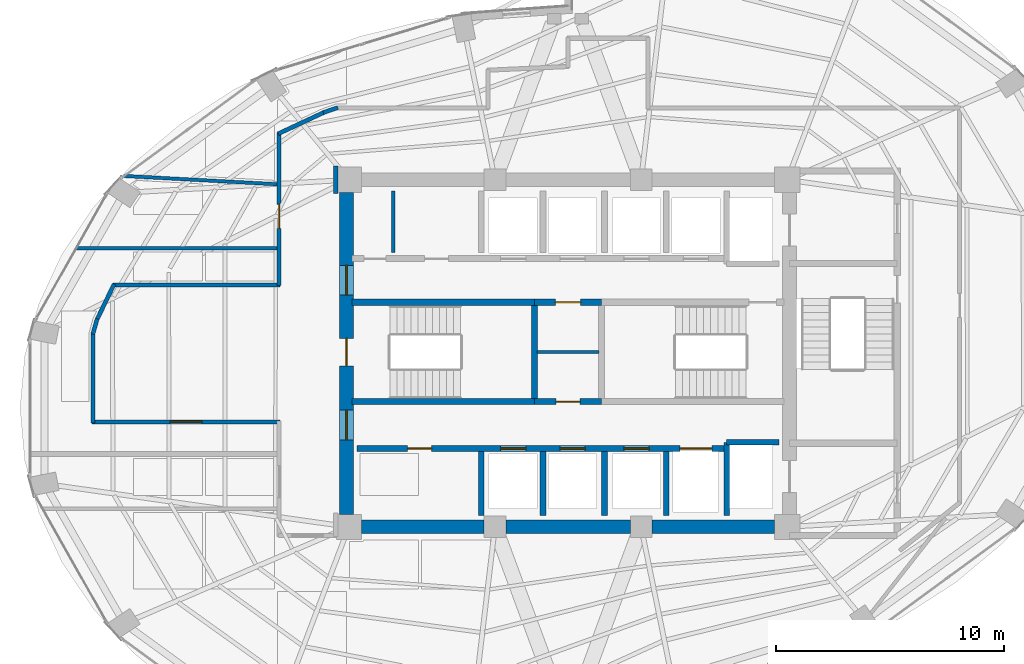
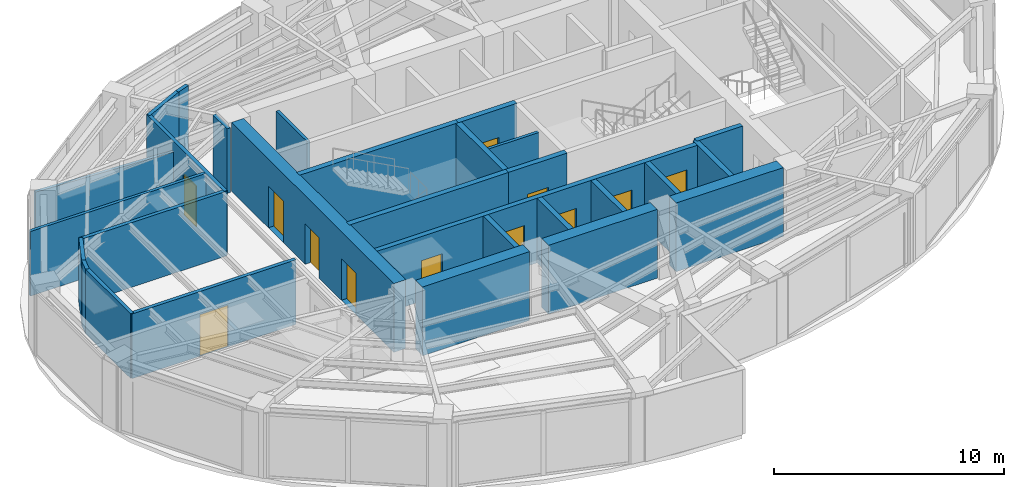
# One storey, part 16 of 20: 29 walls, 12 doors, 12 openings.
"""IFC4 building model written with IfcOpenShell, lengths in metres."""

from ifc_helpers import new_model, si_unit, direction, frame, frame_2d, origin, place, context, subcontext, project, spatial, rectangle, extrude, material, layer, layer_set, type_object, element, fill, save


model = new_model("IFC4")

# Units and contexts
model_context = context("Model", 3, precision=1e-05, world=origin(), true_north=direction((0.0, 1.0)))
body_context = subcontext(model_context, "Body", "Model", "MODEL_VIEW")
ifc_project = project(units=[si_unit("LENGTHUNIT", "METRE"), si_unit("AREAUNIT", "SQUARE_METRE"), si_unit("VOLUMEUNIT", "CUBIC_METRE"), si_unit("PLANEANGLEUNIT", "RADIAN"), si_unit("MASSUNIT", "GRAM", prefix="KILO")], contexts=[model_context])

# Site, building, storey
site_placement = place(None, origin())
site = spatial("IfcSite", under=ifc_project, at=site_placement, CompositionType="ELEMENT")
building_placement = place(site_placement, origin())
building = spatial("IfcBuilding", under=site, at=building_placement, Name="Lazwardi Medical Tower", CompositionType="ELEMENT")
storey_placement = place(building_placement, frame((0.0, 0.0, 178.416015625)))
storey = spatial("IfcBuildingStorey", under=building, at=storey_placement, Name="L46", CompositionType="ELEMENT", Elevation=178.416015625)

# Walls
ifc_material_1 = material(Name="Fire-rated gypsum board on steel stud", Category="steel")
ifc_layer_1 = layer(ifc_material_1, 0.179931640625)
ifc_layer_set_1 = layer_set([ifc_layer_1], Name="Fire-rated gypsum board on steel stud")
wall_type_1 = type_object("IfcWallType", Name="WL-COR-180", PredefinedType="PARTITIONING", material=ifc_layer_set_1)
wall_1_placement = place(storey_placement, frame((15.350341796875, 29.435791015625, 0.0), z_axis=(0.0, 0.0, 1.0), x_axis=(0.436196025907, 0.899851669434, 0.0)))
element("IfcWall", 1, at=wall_1_placement, inside=storey, type_object=wall_type_1, Name="L46 Corridor partition 1", PredefinedType="PARTITIONING", context=body_context, shape_type="SweptSolid", body=[
    extrude(rectangle(XDim=1.778076171875, YDim=0.179931640625, at=frame_2d((0.88916015625, 0.0))), origin(), (0.0, 0.0, 1.0), 3.427978515625),
])
wall_2_placement = place(storey_placement, frame((16.068359375, 31.0, 0.0), z_axis=(0.0, 0.0, 1.0), x_axis=(1.0, 0.0, 0.0)))
element("IfcWall", 2, at=wall_2_placement, inside=storey, type_object=wall_type_1, Name="L46 Corridor partition 2", PredefinedType="PARTITIONING", context=body_context, shape_type="SweptSolid", body=[
    extrude(rectangle(XDim=7.321533203125, YDim=0.179931640625, at=frame_2d((3.66064453125, 0.0))), origin(), (0.0, 0.0, 1.0), 3.427978515625),
])

# Wall, opening, door
wall_3_placement = place(storey_placement, frame((23.35009765625, 30.9599609375, 0.0), z_axis=(0.0, 0.0, 1.0), x_axis=(0.0, 1.0, 0.0)))
wall_3 = element("IfcWall", 3, at=wall_3_placement, inside=storey, type_object=wall_type_1, Name="L46 Corridor partition 3", PredefinedType="PARTITIONING", context=body_context, shape_type="SweptSolid", body=[
    extrude(rectangle(XDim=6.7138671875, YDim=0.179931640625, at=frame_2d((3.35693359375, 0.0))), origin(), (0.0, 0.0, 1.0), 3.427978515625),
])
opening_1_placement = place(wall_3_placement, frame((2.51708984375, 0.0, 0.0)))
opening_1 = element("IfcOpeningElement", 4, at=opening_1_placement, cuts=wall_3, Name="Opening D-L46-013", PredefinedType="OPENING", context=body_context, shape_type="SweptSolid", body=[
    extrude(rectangle(XDim=1.050048828125, YDim=2.14990234375, at=frame_2d((0.52490234375, 1.074951171875))), frame((0.0, 0.099853515625, 0.0), z_axis=(0.0, -1.0, 0.0), x_axis=(1.0, 0.0, 0.0)), (0.0, 0.0, 1.0), 0.199951171875),
])
ifc_material_2 = material(Name="Anti-microbial laminate hospital leaf")
door_type_1 = type_object("IfcDoorType", Name="DR-CLN-1050", OperationType="NOTDEFINED", PredefinedType="DOOR", material=ifc_material_2)
door_1_placement = place(opening_1_placement, origin())
door_1 = element("IfcDoor", 5, at=door_1_placement, inside=storey, type_object=door_type_1, Name="L46 Outpatient Clinic Door 04", OperationType="SINGLE_SWING_LEFT", OverallHeight=2.14990234375, OverallWidth=1.050048828125, PredefinedType="DOOR", context=body_context, shape_type="SweptSolid", body=[
    extrude(rectangle(XDim=1.050048828125, YDim=2.14990234375, at=frame_2d((0.52490234375, 1.074951171875))), frame((0.0, 0.02490234375, 0.0), z_axis=(0.0, -1.0, 0.0), x_axis=(1.0, 0.0, 0.0)), (0.0, 0.0, 1.0), 0.050048828125),
])
fill(opening_1, door_1)

# Walls
wall_4_placement = place(storey_placement, frame((23.313720703125, 37.616943359375, 0.0), z_axis=(0.0, 0.0, 1.0), x_axis=(0.905731790856, 0.423851298255, 0.0)))
element("IfcWall", 6, at=wall_4_placement, inside=storey, type_object=wall_type_1, Name="L46 Corridor partition 4", PredefinedType="PARTITIONING", context=body_context, shape_type="SweptSolid", body=[
    extrude(rectangle(XDim=2.255126953125, YDim=0.179931640625, at=frame_2d((1.12744140625, 0.0))), origin(), (0.0, 0.0, 1.0), 3.427978515625),
])
wall_5_placement = place(storey_placement, frame((25.2822265625, 38.54248046875, 0.0), z_axis=(0.0, 0.0, 1.0), x_axis=(0.94508059942, 0.326837361085, 0.0)))
element("IfcWall", 7, at=wall_5_placement, inside=storey, type_object=wall_type_1, Name="L46 Corridor partition 5", PredefinedType="PARTITIONING", context=body_context, shape_type="SweptSolid", body=[
    extrude(rectangle(XDim=0.67529296875, YDim=0.179931640625, at=frame_2d((0.337646484375, 0.0))), origin(), (0.0, 0.0, 1.0), 3.427978515625),
])
wall_6_placement = place(storey_placement, frame((25.830078125, 36.2099609375, 0.0), z_axis=(0.0, 0.0, 1.0), x_axis=(0.0, -1.0, 0.0)))
element("IfcWall", 8, at=wall_6_placement, inside=storey, type_object=wall_type_1, Name="L46 Corridor partition 15", PredefinedType="PARTITIONING", context=body_context, shape_type="SweptSolid", body=[
    extrude(rectangle(XDim=1.219970703125, YDim=0.179931640625, at=frame_2d((0.60986328125, 0.0))), origin(), (0.0, 0.0, 1.0), 3.427978515625),
])

# Wall, opening, door
wall_7_placement = place(storey_placement, frame((23.389892578125, 25.0, 0.0), z_axis=(0.0, 0.0, 1.0), x_axis=(-1.0, 0.0, 0.0)))
wall_7 = element("IfcWall", 9, at=wall_7_placement, inside=storey, type_object=wall_type_1, Name="L46 Corridor partition 19", PredefinedType="PARTITIONING", context=body_context, shape_type="SweptSolid", body=[
    extrude(rectangle(XDim=8.22998046875, YDim=0.179931640625, at=frame_2d((4.114990234375, 0.0))), origin(), (0.0, 0.0, 1.0), 3.427978515625),
])
opening_2_placement = place(wall_7_placement, frame((3.4150390625, 0.0, 0.0)))
opening_2 = element("IfcOpeningElement", 10, at=opening_2_placement, cuts=wall_7, Name="Opening D-L46-014", PredefinedType="OPENING", context=body_context, shape_type="SweptSolid", body=[
    extrude(rectangle(XDim=1.39990234375, YDim=2.199951171875, at=frame_2d((0.699951171875, 1.10009765625))), frame((0.0, 0.099853515625, 0.0), z_axis=(0.0, -1.0, 0.0), x_axis=(1.0, 0.0, 0.0)), (0.0, 0.0, 1.0), 0.199951171875),
])
door_type_2 = type_object("IfcDoorType", Name="DR-BED-1400", OperationType="NOTDEFINED", PredefinedType="DOOR", material=ifc_material_2)
door_2_placement = place(opening_2_placement, origin())
door_2 = element("IfcDoor", 11, at=door_2_placement, inside=storey, type_object=door_type_2, Name="L46 Rehabilitation Gymnasium Door 05", OperationType="SINGLE_SWING_RIGHT", OverallHeight=2.199951171875, OverallWidth=1.39990234375, PredefinedType="DOOR", context=body_context, shape_type="SweptSolid", body=[
    extrude(rectangle(XDim=1.39990234375, YDim=2.199951171875, at=frame_2d((0.699951171875, 1.10009765625))), frame((0.0, 0.02490234375, 0.0), z_axis=(0.0, -1.0, 0.0), x_axis=(1.0, 0.0, 0.0)), (0.0, 0.0, 1.0), 0.050048828125),
])
fill(opening_2, door_2)

# Walls
wall_8_placement = place(storey_placement, frame((15.199951171875, 24.9599609375, 0.0), z_axis=(0.0, 0.0, 1.0), x_axis=(0.0, 1.0, 0.0)))
element("IfcWall", 12, at=wall_8_placement, inside=storey, type_object=wall_type_1, Name="L46 Corridor partition 20", PredefinedType="PARTITIONING", context=body_context, shape_type="SweptSolid", body=[
    extrude(rectangle(XDim=3.961181640625, YDim=0.179931640625, at=frame_2d((1.98046875, 0.0))), origin(), (0.0, 0.0, 1.0), 3.427978515625),
])
wall_9_placement = place(storey_placement, frame((15.189208984375, 28.842529296875, 0.0), z_axis=(0.0, 0.0, 1.0), x_axis=(0.272862960331, 0.962052911684, 0.0)))
element("IfcWall", 13, at=wall_9_placement, inside=storey, type_object=wall_type_1, Name="L46 Corridor partition 21", PredefinedType="PARTITIONING", context=body_context, shape_type="SweptSolid", body=[
    extrude(rectangle(XDim=0.6943359375, YDim=0.179931640625, at=frame_2d((0.34716796875, 0.0))), origin(), (0.0, 0.0, 1.0), 3.427978515625),
])

# Wall, openings, doors
ifc_material_3 = material(Name="Concrete C60/75", Category="concrete")
ifc_layer_2 = layer(ifc_material_3, 0.60009765625)
ifc_layer_set_2 = layer_set([ifc_layer_2], Name="Concrete C60/75")
wall_type_2 = type_object("IfcWallType", Name="WL-CORE-600", PredefinedType="SHEAR", material=ifc_layer_set_2)
wall_10_placement = place(storey_placement, frame((26.300048828125, 20.949951171875, 0.0), z_axis=(0.0, 0.0, 1.0), x_axis=(0.0, 1.0, 0.0)))
wall_10 = element("IfcWall", 14, at=wall_10_placement, inside=storey, type_object=wall_type_2, Name="Core wall CW-S3 west L46", PredefinedType="SHEAR", context=body_context, shape_type="SweptSolid", body=[
    extrude(rectangle(XDim=14.10009765625, YDim=0.60009765625, at=frame_2d((7.050048828125, 0.0))), origin(), (0.0, 0.0, 1.0), 3.64794921875),
])
opening_3_placement = place(wall_10_placement, frame((6.5, 0.0, 0.0)))
opening_3 = element("IfcOpeningElement", 15, at=opening_3_placement, cuts=wall_10, Name="Opening D-L46-015", PredefinedType="OPENING", context=body_context, shape_type="SweptSolid", body=[
    extrude(rectangle(XDim=1.199951171875, YDim=2.14990234375, at=frame_2d((0.60009765625, 1.074951171875))), frame((0.0, 0.31005859375, 0.0), z_axis=(0.0, -1.0, 0.0), x_axis=(1.0, 0.0, 0.0)), (0.0, 0.0, 1.0), 0.6201171875),
])
opening_4_placement = place(wall_10_placement, frame((9.60009765625, 0.0, 0.0)))
opening_4 = element("IfcOpeningElement", 16, at=opening_4_placement, cuts=wall_10, Name="Opening D-L46-008", PredefinedType="OPENING", context=body_context, shape_type="SweptSolid", body=[
    extrude(rectangle(XDim=1.300048828125, YDim=2.199951171875, at=frame_2d((0.64990234375, 1.10009765625))), frame((0.0, 0.31005859375, 0.0), z_axis=(0.0, -1.0, 0.0), x_axis=(1.0, 0.0, 0.0)), (0.0, 0.0, 1.0), 0.6201171875),
])
opening_5_placement = place(wall_10_placement, frame((3.260009765625, 0.0, 0.0)))
opening_5 = element("IfcOpeningElement", 17, at=opening_5_placement, cuts=wall_10, Name="Opening D-L46-009", PredefinedType="OPENING", context=body_context, shape_type="SweptSolid", body=[
    extrude(rectangle(XDim=1.300048828125, YDim=2.199951171875, at=frame_2d((0.64990234375, 1.10009765625))), frame((0.0, 0.31005859375, 0.0), z_axis=(0.0, -1.0, 0.0), x_axis=(1.0, 0.0, 0.0)), (0.0, 0.0, 1.0), 0.6201171875),
])
ifc_material_4 = material(Name="Fire-rated steel leaf and frame", Category="steel")
door_type_3 = type_object("IfcDoorType", Name="DR-FFL-1300", OperationType="NOTDEFINED", PredefinedType="DOOR", material=ifc_material_4)
door_3_placement = place(opening_4_placement, origin())
door_3 = element("IfcDoor", 18, at=door_3_placement, inside=storey, type_object=door_type_3, Name="L46 North Lift Lobby Door", OperationType="SINGLE_SWING_RIGHT", OverallHeight=2.199951171875, OverallWidth=1.300048828125, PredefinedType="DOOR", context=body_context, shape_type="SweptSolid", body=[
    extrude(rectangle(XDim=1.300048828125, YDim=2.199951171875, at=frame_2d((0.64990234375, 1.10009765625))), frame((0.0, 0.02490234375, 0.0), z_axis=(0.0, -1.0, 0.0), x_axis=(1.0, 0.0, 0.0)), (0.0, 0.0, 1.0), 0.050048828125),
])
fill(opening_4, door_3)
door_4_placement = place(opening_5_placement, origin())
door_4 = element("IfcDoor", 19, at=door_4_placement, inside=storey, type_object=door_type_3, Name="L46 South Lift Lobby Door", OperationType="SINGLE_SWING_LEFT", OverallHeight=2.199951171875, OverallWidth=1.300048828125, PredefinedType="DOOR", context=body_context, shape_type="SweptSolid", body=[
    extrude(rectangle(XDim=1.300048828125, YDim=2.199951171875, at=frame_2d((0.64990234375, 1.10009765625))), frame((0.0, 0.02490234375, 0.0), z_axis=(0.0, -1.0, 0.0), x_axis=(1.0, 0.0, 0.0)), (0.0, 0.0, 1.0), 0.050048828125),
])
fill(opening_5, door_4)
door_type_4 = type_object("IfcDoorType", Name="DR-STR-1200", OperationType="NOTDEFINED", PredefinedType="DOOR", material=ifc_material_4)
door_5_placement = place(opening_3_placement, origin())
door_5 = element("IfcDoor", 20, at=door_5_placement, inside=storey, type_object=door_type_4, Name="L46 Exit Stair ST1 Door", OperationType="SINGLE_SWING_RIGHT", OverallHeight=2.14990234375, OverallWidth=1.199951171875, PredefinedType="DOOR", context=body_context, shape_type="SweptSolid", body=[
    extrude(rectangle(XDim=1.199951171875, YDim=2.14990234375, at=frame_2d((0.60009765625, 1.074951171875))), frame((0.0, 0.02490234375, 0.0), z_axis=(0.0, -1.0, 0.0), x_axis=(1.0, 0.0, 0.0)), (0.0, 0.0, 1.0), 0.050048828125),
])
fill(opening_3, door_5)

# Walls
wall_11_placement = place(storey_placement, frame((26.949951171875, 20.39990234375, 0.0), z_axis=(0.0, 0.0, 1.0), x_axis=(1.0, 0.0, 0.0)))
element("IfcWall", 21, at=wall_11_placement, inside=storey, type_object=wall_type_2, Name="Core wall CW-S3 S1 L46", PredefinedType="SHEAR", context=body_context, shape_type="SweptSolid", body=[
    extrude(rectangle(XDim=5.375, YDim=0.60009765625, at=frame_2d((2.6875, 0.0))), origin(), (0.0, 0.0, 1.0), 3.64794921875),
])
wall_12_placement = place(storey_placement, frame((33.27490234375, 20.39990234375, 0.0), z_axis=(0.0, 0.0, 1.0), x_axis=(1.0, 0.0, 0.0)))
element("IfcWall", 22, at=wall_12_placement, inside=storey, type_object=wall_type_2, Name="Core wall CW-S3 S2 L46", PredefinedType="SHEAR", context=body_context, shape_type="SweptSolid", body=[
    extrude(rectangle(XDim=5.4501953125, YDim=0.60009765625, at=frame_2d((2.72509765625, 0.0))), origin(), (0.0, 0.0, 1.0), 3.64794921875),
])
wall_13_placement = place(storey_placement, frame((39.675048828125, 20.39990234375, 0.0), z_axis=(0.0, 0.0, 1.0), x_axis=(1.0, 0.0, 0.0)))
element("IfcWall", 23, at=wall_13_placement, inside=storey, type_object=wall_type_2, Name="Core wall CW-S3 S3 L46", PredefinedType="SHEAR", context=body_context, shape_type="SweptSolid", body=[
    extrude(rectangle(XDim=5.375, YDim=0.60009765625, at=frame_2d((2.6875, 0.0))), origin(), (0.0, 0.0, 1.0), 3.64794921875),
])

# Wall, openings, doors
ifc_material_5 = material(Name="Autoclaved aerated concrete blockwork", Category="masonry")
ifc_layer_3 = layer(ifc_material_5, 0.25)
ifc_layer_set_3 = layer_set([ifc_layer_3], Name="Autoclaved aerated concrete blockwork")
wall_type_3 = type_object("IfcWallType", Name="WL-SHAFT-250", PredefinedType="SOLIDWALL", material=ifc_layer_set_3)
wall_14_placement = place(storey_placement, frame((26.75, 23.830078125, 0.0), z_axis=(0.0, 0.0, 1.0), x_axis=(1.0, 0.0, 0.0)))
wall_14 = element("IfcWall", 24, at=wall_14_placement, inside=storey, type_object=wall_type_3, Name="L46 South lift bank front wall", PredefinedType="SOLIDWALL", context=body_context, shape_type="SweptSolid", body=[
    extrude(rectangle(XDim=16.199951171875, YDim=0.25, at=frame_2d((8.10009765625, 0.0))), origin(), (0.0, 0.0, 1.0), 3.427978515625),
])
opening_6_placement = place(wall_14_placement, frame((2.22509765625, 0.0, 0.0)))
opening_6 = element("IfcOpeningElement", 25, at=opening_6_placement, cuts=wall_14, Name="Opening D-L46-005", PredefinedType="OPENING", context=body_context, shape_type="SweptSolid", body=[
    extrude(rectangle(XDim=1.050048828125, YDim=2.14990234375, at=frame_2d((0.52490234375, 1.074951171875))), frame((0.0, 0.135009765625, 0.0), z_axis=(0.0, -1.0, 0.0), x_axis=(1.0, 0.0, 0.0)), (0.0, 0.0, 1.0), 0.27001953125),
])
opening_7_placement = place(wall_14_placement, frame((6.300048828125, 0.0, 0.0)))
opening_7 = element("IfcOpeningElement", 26, at=opening_7_placement, cuts=wall_14, Name="Opening LD-L46-006", PredefinedType="OPENING", context=body_context, shape_type="SweptSolid", body=[
    extrude(rectangle(XDim=1.10009765625, YDim=2.199951171875, at=frame_2d((0.550048828125, 1.10009765625))), frame((0.0, 0.135009765625, 0.0), z_axis=(0.0, -1.0, 0.0), x_axis=(1.0, 0.0, 0.0)), (0.0, 0.0, 1.0), 0.27001953125),
])
opening_8_placement = place(wall_14_placement, frame((8.89990234375, 0.0, 0.0)))
opening_8 = element("IfcOpeningElement", 27, at=opening_8_placement, cuts=wall_14, Name="Opening LD-L46-007", PredefinedType="OPENING", context=body_context, shape_type="SweptSolid", body=[
    extrude(rectangle(XDim=1.10009765625, YDim=2.199951171875, at=frame_2d((0.550048828125, 1.10009765625))), frame((0.0, 0.135009765625, 0.0), z_axis=(0.0, -1.0, 0.0), x_axis=(1.0, 0.0, 0.0)), (0.0, 0.0, 1.0), 0.27001953125),
])
opening_9_placement = place(wall_14_placement, frame((11.699951171875, 0.0, 0.0)))
opening_9 = element("IfcOpeningElement", 28, at=opening_9_placement, cuts=wall_14, Name="Opening LD-L46-010", PredefinedType="OPENING", context=body_context, shape_type="SweptSolid", body=[
    extrude(rectangle(XDim=1.10009765625, YDim=2.199951171875, at=frame_2d((0.550048828125, 1.10009765625))), frame((0.0, 0.135009765625, 0.0), z_axis=(0.0, -1.0, 0.0), x_axis=(1.0, 0.0, 0.0)), (0.0, 0.0, 1.0), 0.27001953125),
])
opening_10_placement = place(wall_14_placement, frame((14.14990234375, 0.0, 0.0)))
opening_10 = element("IfcOpeningElement", 29, at=opening_10_placement, cuts=wall_14, Name="Opening LD-L46-003", PredefinedType="OPENING", context=body_context, shape_type="SweptSolid", body=[
    extrude(rectangle(XDim=1.39990234375, YDim=2.300048828125, at=frame_2d((0.699951171875, 1.14990234375))), frame((0.0, 0.135009765625, 0.0), z_axis=(0.0, -1.0, 0.0), x_axis=(1.0, 0.0, 0.0)), (0.0, 0.0, 1.0), 0.27001953125),
])
door_6_placement = place(opening_6_placement, origin())
door_6 = element("IfcDoor", 30, at=door_6_placement, inside=storey, type_object=door_type_1, Name="L46 Medication Door", OperationType="SINGLE_SWING_RIGHT", OverallHeight=2.14990234375, OverallWidth=1.050048828125, PredefinedType="DOOR", context=body_context, shape_type="SweptSolid", body=[
    extrude(rectangle(XDim=1.050048828125, YDim=2.14990234375, at=frame_2d((0.52490234375, 1.074951171875))), frame((0.0, 0.02490234375, 0.0), z_axis=(0.0, -1.0, 0.0), x_axis=(1.0, 0.0, 0.0)), (0.0, 0.0, 1.0), 0.050048828125),
])
fill(opening_6, door_6)
ifc_material_6 = material(Name="Brushed bronze stainless steel landing door", Category="steel")
door_type_5 = type_object("IfcDoorType", Name="DR-LFT-1100", OperationType="NOTDEFINED", PredefinedType="DOOR", material=ifc_material_6)
door_7_placement = place(opening_7_placement, origin())
door_7 = element("IfcDoor", 31, at=door_7_placement, inside=storey, type_object=door_type_5, Name="L46 Lift Landing Door PL-07", OperationType="SLIDING_TO_LEFT", OverallHeight=2.199951171875, OverallWidth=1.10009765625, PredefinedType="DOOR", context=body_context, shape_type="SweptSolid", body=[
    extrude(rectangle(XDim=1.10009765625, YDim=2.199951171875, at=frame_2d((0.550048828125, 1.10009765625))), frame((0.0, 0.02490234375, 0.0), z_axis=(0.0, -1.0, 0.0), x_axis=(1.0, 0.0, 0.0)), (0.0, 0.0, 1.0), 0.050048828125),
])
fill(opening_7, door_7)
door_8_placement = place(opening_8_placement, origin())
door_8 = element("IfcDoor", 32, at=door_8_placement, inside=storey, type_object=door_type_5, Name="L46 Lift Landing Door PL-08", OperationType="SLIDING_TO_LEFT", OverallHeight=2.199951171875, OverallWidth=1.10009765625, PredefinedType="DOOR", context=body_context, shape_type="SweptSolid", body=[
    extrude(rectangle(XDim=1.10009765625, YDim=2.199951171875, at=frame_2d((0.550048828125, 1.10009765625))), frame((0.0, 0.02490234375, 0.0), z_axis=(0.0, -1.0, 0.0), x_axis=(1.0, 0.0, 0.0)), (0.0, 0.0, 1.0), 0.050048828125),
])
fill(opening_8, door_8)
door_9_placement = place(opening_9_placement, origin())
door_9 = element("IfcDoor", 33, at=door_9_placement, inside=storey, type_object=door_type_5, Name="L46 Lift Landing Door PL-11", OperationType="SLIDING_TO_LEFT", OverallHeight=2.199951171875, OverallWidth=1.10009765625, PredefinedType="DOOR", context=body_context, shape_type="SweptSolid", body=[
    extrude(rectangle(XDim=1.10009765625, YDim=2.199951171875, at=frame_2d((0.550048828125, 1.10009765625))), frame((0.0, 0.02490234375, 0.0), z_axis=(0.0, -1.0, 0.0), x_axis=(1.0, 0.0, 0.0)), (0.0, 0.0, 1.0), 0.050048828125),
])
fill(opening_9, door_9)
ifc_material_7 = material(Name="Brushed stainless steel bed-lift landing door", Category="steel")
door_type_6 = type_object("IfcDoorType", Name="DR-LFT-1400", OperationType="NOTDEFINED", PredefinedType="DOOR", material=ifc_material_7)
door_10_placement = place(opening_10_placement, origin())
door_10 = element("IfcDoor", 34, at=door_10_placement, inside=storey, type_object=door_type_6, Name="L46 Lift Landing Door FL-03", OperationType="SLIDING_TO_LEFT", OverallHeight=2.300048828125, OverallWidth=1.39990234375, PredefinedType="DOOR", context=body_context, shape_type="SweptSolid", body=[
    extrude(rectangle(XDim=1.39990234375, YDim=2.300048828125, at=frame_2d((0.699951171875, 1.14990234375))), frame((0.0, 0.02490234375, 0.0), z_axis=(0.0, -1.0, 0.0), x_axis=(1.0, 0.0, 0.0)), (0.0, 0.0, 1.0), 0.050048828125),
])
fill(opening_10, door_10)

# Walls
wall_15_placement = place(storey_placement, frame((42.949951171875, 20.89990234375, 0.0), z_axis=(0.0, 0.0, 1.0), x_axis=(0.0, 1.0, 0.0)))
element("IfcWall", 35, at=wall_15_placement, inside=storey, type_object=wall_type_3, Name="L46 FL-02 West shaft wall", PredefinedType="SOLIDWALL", context=body_context, shape_type="SweptSolid", body=[
    extrude(rectangle(XDim=3.2001953125, YDim=0.25, at=frame_2d((1.60009765625, 0.0))), origin(), (0.0, 0.0, 1.0), 3.427978515625),
])
wall_16_placement = place(storey_placement, frame((42.949951171875, 24.10009765625, 0.0), z_axis=(0.0, 0.0, 1.0), x_axis=(1.0, 0.0, 0.0)))
element("IfcWall", 36, at=wall_16_placement, inside=storey, type_object=wall_type_3, Name="L46 FL-02 North shaft wall", PredefinedType="SOLIDWALL", context=body_context, shape_type="SweptSolid", body=[
    extrude(rectangle(XDim=2.300048828125, YDim=0.25, at=frame_2d((1.14990234375, 0.0))), origin(), (0.0, 0.0, 1.0), 3.427978515625),
])
for number, where, z_axis, x_axis, name in (
    (37, (32.199951171875, 20.89990234375, 0.0), (0.0, 0.0, 1.0), (0.0, 1.0, 0.0), "L46 South hoistway divider"),
    (38, (34.89990234375, 20.89990234375, 0.0), (0.0, 0.0, 1.0), (0.0, 1.0, 0.0), "L46 South hoistway divider"),
    (39, (37.60009765625, 20.89990234375, 0.0), (0.0, 0.0, 1.0), (0.0, 1.0, 0.0), "L46 South hoistway divider"),
    (40, (40.300048828125, 20.89990234375, 0.0), (0.0, 0.0, 1.0), (0.0, 1.0, 0.0), "L46 South hoistway divider"),
):
    element("IfcWall", number, at=place(storey_placement, frame(where, z_axis=z_axis, x_axis=x_axis)), inside=storey, type_object=wall_type_3, Name=name, PredefinedType="SOLIDWALL", context=body_context, shape_type="SweptSolid", body=[
        extrude(rectangle(XDim=2.800048828125, YDim=0.25, at=frame_2d((1.39990234375, 0.0))), origin(), (0.0, 0.0, 1.0), 3.427978515625),
    ])
ifc_material_8 = material(Name="Concrete C50/60", Category="concrete")
ifc_layer_4 = layer(ifc_material_8, 0.27001953125)
ifc_layer_set_4 = layer_set([ifc_layer_4], Name="Concrete C50/60")
wall_type_4 = type_object("IfcWallType", Name="WL-STR-250", PredefinedType="SHEAR", material=ifc_layer_set_4)
wall_17_placement = place(storey_placement, frame((26.550048828125, 30.235107421875, 0.0), z_axis=(0.0, 0.0, 1.0), x_axis=(1.0, 0.0, 0.0)))
element("IfcWall", 41, at=wall_17_placement, inside=storey, type_object=wall_type_4, Name="L46 ST1 North shear shaft wall SW-S1", PredefinedType="SHEAR", context=body_context, shape_type="SweptSolid", body=[
    extrude(rectangle(XDim=7.98486328125, YDim=0.27001953125, at=frame_2d((3.992431640625, 0.0))), origin(), (0.0, 0.0, 1.0), 3.64794921875),
])

# Wall, opening, door
wall_18_placement = place(storey_placement, frame((34.534912109375, 30.235107421875, 0.0), z_axis=(0.0, 0.0, 1.0), x_axis=(1.0, 0.0, 0.0)))
wall_18 = element("IfcWall", 42, at=wall_18_placement, inside=storey, type_object=wall_type_4, Name="L46 Core service North shear wall SW-S1", PredefinedType="SHEAR", context=body_context, shape_type="SweptSolid", body=[
    extrude(rectangle(XDim=2.93017578125, YDim=0.27001953125, at=frame_2d((1.465087890625, 0.0))), origin(), (0.0, 0.0, 1.0), 3.64794921875),
])
opening_11_placement = place(wall_18_placement, frame((0.9150390625, 0.0, 0.0)))
opening_11 = element("IfcOpeningElement", 43, at=opening_11_placement, cuts=wall_18, Name="Opening D-L46-002", PredefinedType="OPENING", context=body_context, shape_type="SweptSolid", body=[
    extrude(rectangle(XDim=1.10009765625, YDim=2.14990234375, at=frame_2d((0.550048828125, 1.074951171875))), frame((0.0, 0.14501953125, 0.0), z_axis=(0.0, -1.0, 0.0), x_axis=(1.0, 0.0, 0.0)), (0.0, 0.0, 1.0), 0.2900390625),
])
door_type_7 = type_object("IfcDoorType", Name="DR-PLT-1100", OperationType="NOTDEFINED", PredefinedType="DOOR", material=ifc_material_4)
door_11_placement = place(opening_11_placement, origin())
door_11 = element("IfcDoor", 44, at=door_11_placement, inside=storey, type_object=door_type_7, Name="L46 Electrical Room Door", OperationType="SINGLE_SWING_LEFT", OverallHeight=2.14990234375, OverallWidth=1.10009765625, PredefinedType="DOOR", context=body_context, shape_type="SweptSolid", body=[
    extrude(rectangle(XDim=1.10009765625, YDim=2.14990234375, at=frame_2d((0.550048828125, 1.074951171875))), frame((0.0, 0.02490234375, 0.0), z_axis=(0.0, -1.0, 0.0), x_axis=(1.0, 0.0, 0.0)), (0.0, 0.0, 1.0), 0.050048828125),
])
fill(opening_11, door_11)

# Wall
wall_19_placement = place(storey_placement, frame((26.550048828125, 25.885009765625, 0.0), z_axis=(0.0, 0.0, 1.0), x_axis=(1.0, 0.0, 0.0)))
element("IfcWall", 45, at=wall_19_placement, inside=storey, type_object=wall_type_4, Name="L46 ST1 South shear shaft wall SW-S1", PredefinedType="SHEAR", context=body_context, shape_type="SweptSolid", body=[
    extrude(rectangle(XDim=7.98486328125, YDim=0.27001953125, at=frame_2d((3.992431640625, 0.0))), origin(), (0.0, 0.0, 1.0), 3.64794921875),
])

# Wall, opening, door
wall_20_placement = place(storey_placement, frame((34.534912109375, 25.885009765625, 0.0), z_axis=(0.0, 0.0, 1.0), x_axis=(1.0, 0.0, 0.0)))
wall_20 = element("IfcWall", 46, at=wall_20_placement, inside=storey, type_object=wall_type_4, Name="L46 Core service South shear wall SW-S1", PredefinedType="SHEAR", context=body_context, shape_type="SweptSolid", body=[
    extrude(rectangle(XDim=2.93017578125, YDim=0.27001953125, at=frame_2d((1.465087890625, 0.0))), origin(), (0.0, 0.0, 1.0), 3.64794921875),
])
opening_12_placement = place(wall_20_placement, frame((0.93994140625, 0.0, 0.0)))
opening_12 = element("IfcOpeningElement", 47, at=opening_12_placement, cuts=wall_20, Name="Opening D-L46-001", PredefinedType="OPENING", context=body_context, shape_type="SweptSolid", body=[
    extrude(rectangle(XDim=1.050048828125, YDim=2.14990234375, at=frame_2d((0.52490234375, 1.074951171875))), frame((0.0, 0.14501953125, 0.0), z_axis=(0.0, -1.0, 0.0), x_axis=(1.0, 0.0, 0.0)), (0.0, 0.0, 1.0), 0.2900390625),
])
door_12_placement = place(opening_12_placement, origin())
door_12 = element("IfcDoor", 48, at=door_12_placement, inside=storey, type_object=door_type_1, Name="L46 Dirty Sluice Door", OperationType="SINGLE_SWING_RIGHT", OverallHeight=2.14990234375, OverallWidth=1.050048828125, PredefinedType="DOOR", context=body_context, shape_type="SweptSolid", body=[
    extrude(rectangle(XDim=1.050048828125, YDim=2.14990234375, at=frame_2d((0.52490234375, 1.074951171875))), frame((0.0, 0.02490234375, 0.0), z_axis=(0.0, -1.0, 0.0), x_axis=(1.0, 0.0, 0.0)), (0.0, 0.0, 1.0), 0.050048828125),
])
fill(opening_12, door_12)

# Walls
wall_21_placement = place(storey_placement, frame((34.534912109375, 26.02001953125, 0.0), z_axis=(0.0, 0.0, 1.0), x_axis=(0.0, 1.0, 0.0)))
element("IfcWall", 49, at=wall_21_placement, inside=storey, type_object=wall_type_4, Name="L46 ST1 East shear shaft wall SW-S1", PredefinedType="SHEAR", context=body_context, shape_type="SweptSolid", body=[
    extrude(rectangle(XDim=4.080078125, YDim=0.27001953125, at=frame_2d((2.0400390625, 0.0))), origin(), (0.0, 0.0, 1.0), 3.64794921875),
])
ifc_material_9 = material(Name="Acoustic gypsum board partition")
ifc_layer_5 = layer(ifc_material_9, 0.14990234375)
ifc_layer_set_5 = layer_set([ifc_layer_5], Name="Acoustic gypsum board partition")
wall_type_5 = type_object("IfcWallType", Name="WL-WRD-150", PredefinedType="PARTITIONING", material=ifc_layer_set_5)
wall_22_placement = place(storey_placement, frame((34.64990234375, 28.06005859375, 0.0), z_axis=(0.0, 0.0, 1.0), x_axis=(1.0, 0.0, 0.0)))
element("IfcWall", 50, at=wall_22_placement, inside=storey, type_object=wall_type_5, Name="L46 Core service divider", PredefinedType="PARTITIONING", context=body_context, shape_type="SweptSolid", body=[
    extrude(rectangle(XDim=2.7001953125, YDim=0.14990234375, at=frame_2d((1.35009765625, 0.0))), origin(), (0.0, 0.0, 1.0), 3.427978515625),
])
wall_23_placement = place(storey_placement, frame((28.35009765625, 32.419921875, 0.0), z_axis=(0.0, 0.0, 1.0), x_axis=(0.0, 1.0, 0.0)))
element("IfcWall", 51, at=wall_23_placement, inside=storey, type_object=wall_type_5, Name="L46 Freed bay N split", PredefinedType="PARTITIONING", context=body_context, shape_type="SweptSolid", body=[
    extrude(rectangle(XDim=2.68017578125, YDim=0.14990234375, at=frame_2d((1.340087890625, 0.0))), origin(), (0.0, 0.0, 1.0), 3.427978515625),
])
wall_24_placement = place(storey_placement, frame((14.46923828125, 32.60009765625, 0.0), z_axis=(0.0, 0.0, 1.0), x_axis=(1.0, 0.0, 0.0)))
element("IfcWall", 52, at=wall_24_placement, inside=storey, type_object=wall_type_5, Name="L46 Room partition 3", PredefinedType="PARTITIONING", context=body_context, shape_type="SweptSolid", body=[
    extrude(rectangle(XDim=8.790771484375, YDim=0.14990234375, at=frame_2d((4.3955078125, 0.0))), origin(), (0.0, 0.0, 1.0), 3.427978515625),
])
wall_25_placement = place(storey_placement, frame((16.554443359375, 35.76806640625, 0.0), z_axis=(0.0, 0.0, 1.0), x_axis=(0.998529801792, -0.054205488039, 0.0)))
element("IfcWall", 53, at=wall_25_placement, inside=storey, type_object=wall_type_5, Name="L46 Room partition 4", PredefinedType="PARTITIONING", context=body_context, shape_type="SweptSolid", body=[
    extrude(rectangle(XDim=6.71533203125, YDim=0.14990234375, at=frame_2d((3.357666015625, 0.0))), origin(), (0.0, 0.0, 1.0), 2.863037109375),
])

save(model, "model.ifc")
